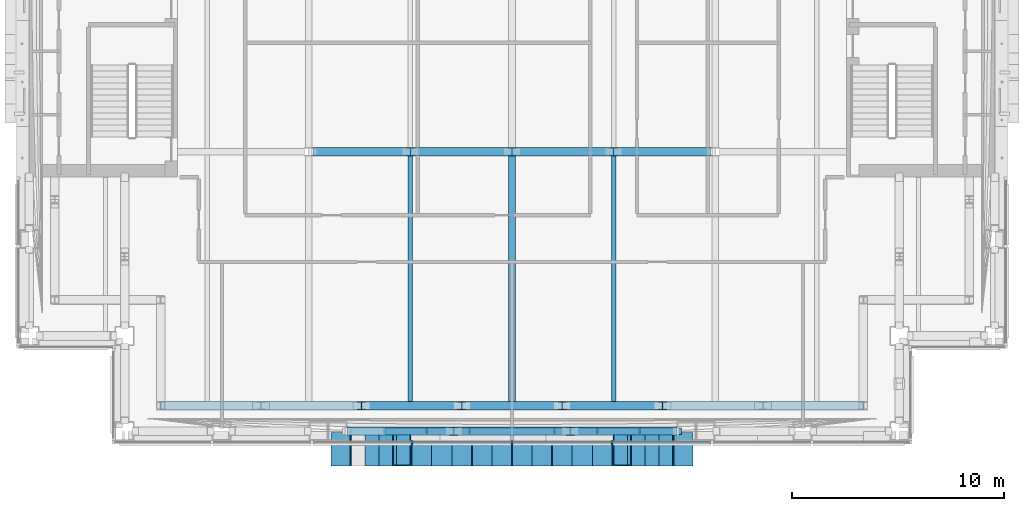
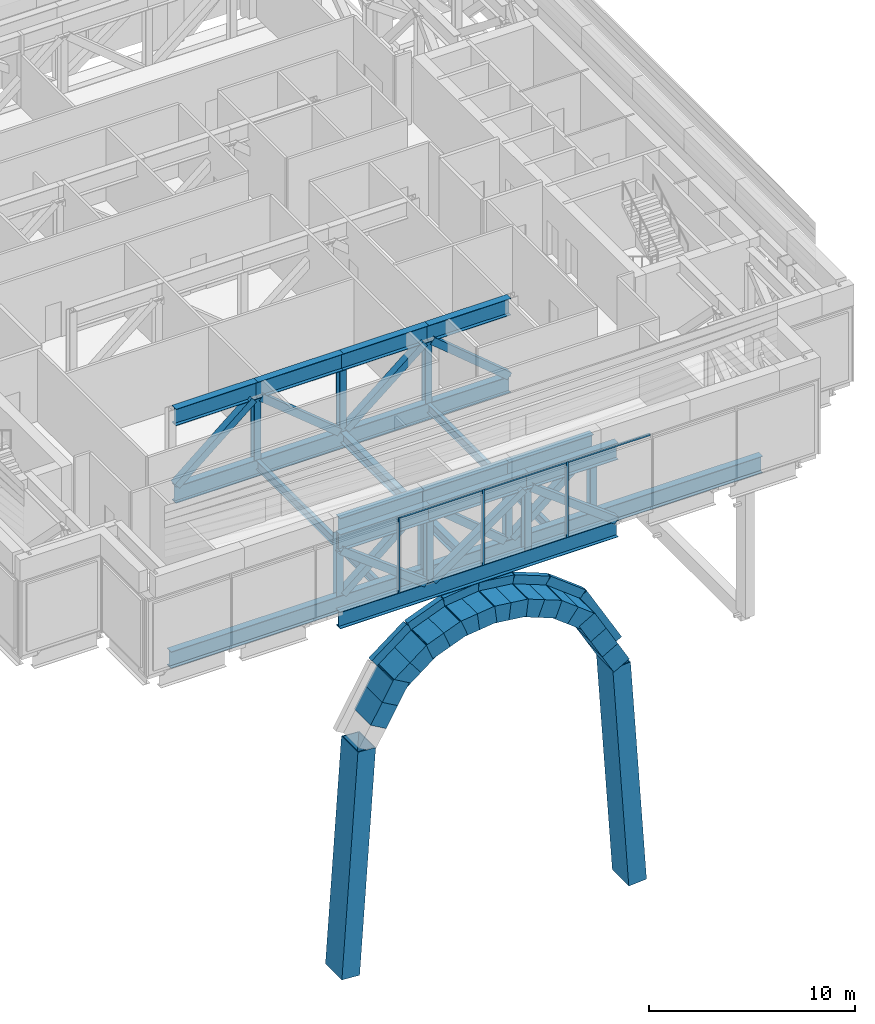
# One storey, part 3 of 38: 57 members, 10 beams, 1 element without a shape of its own.
"""IFC4 building model written with IfcOpenShell, lengths in metres."""

from ifc_helpers import new_model, si_unit, direction, frame, origin, origin_2d, place, context, subcontext, project, spatial, rectangle, hollow_rectangle, i_section, extrude, material, material_profile, profile_set, type_object, element, aggregate, save


model = new_model("IFC4")

# Units and contexts
model_context = context("Model", 3, precision=1e-05, world=origin(), true_north=direction((0.0, 1.0)))
body_context = subcontext(model_context, "Body", "Model", "MODEL_VIEW")
ifc_project = project(units=[si_unit("LENGTHUNIT", "METRE"), si_unit("AREAUNIT", "SQUARE_METRE"), si_unit("VOLUMEUNIT", "CUBIC_METRE"), si_unit("PLANEANGLEUNIT", "RADIAN"), si_unit("MASSUNIT", "GRAM", prefix="KILO")], contexts=[model_context])

# Site, building, storey
site_placement = place(None, origin())
site = spatial("IfcSite", under=ifc_project, at=site_placement, CompositionType="ELEMENT")
building_placement = place(site_placement, origin())
building = spatial("IfcBuilding", under=site, at=building_placement, Name="Cobrizo Arcos Hotel Tower", CompositionType="ELEMENT")
storey_placement = place(building_placement, frame((0.0, 0.0, 138.0)))
storey = spatial("IfcBuildingStorey", under=building, at=storey_placement, Name="L35", CompositionType="ELEMENT", Elevation=138.0)

# Beams
ifc_material_1 = material(Name="Steel ASTM A572 Grade 50", Category="steel")
ifc_material_profile_1 = material_profile(ifc_material_1, hollow_rectangle(XDim=0.300048828125, YDim=0.5, WallThickness=0.02001953125, at=origin_2d()), Name="BOX 300X500X20")
ifc_profile_set_1 = profile_set([ifc_material_profile_1], Name="Steel ASTM A572 Grade 50")
beam_type_1 = type_object("IfcBeamType", Name="BOX 300X500X20 arch rib", PredefinedType="BEAM", material=ifc_profile_set_1)
beam_1_placement = place(storey_placement, frame((-5.85009765625, -22.800048828125, -4.03369140625), z_axis=(0.793804651167, 0.0, 0.608172817369), x_axis=(0.0, 1.0, 0.0)))
element("IfcBeam", 1, at=beam_1_placement, inside=storey, type_object=beam_type_1, Name="Arch rib AR1, arch B, south face, no. 02", PredefinedType="BEAM", context=body_context, shape_type="SweptSolid", body=[
    extrude(hollow_rectangle(XDim=0.300048828125, YDim=0.5, WallThickness=0.02001953125, at=origin_2d()), origin(), (0.0, 0.0, 1.0), 2.456787109375),
])
beam_2_placement = place(storey_placement, frame((-3.89990234375, -22.800048828125, -2.53955078125), z_axis=(0.931493782789, 0.0, 0.363757244087), x_axis=(0.0, 1.0, 0.0)))
element("IfcBeam", 2, at=beam_2_placement, inside=storey, type_object=beam_type_1, Name="Arch rib AR1, arch B, south face, no. 03", PredefinedType="BEAM", context=body_context, shape_type="SweptSolid", body=[
    extrude(hollow_rectangle(XDim=0.300048828125, YDim=0.5, WallThickness=0.02001953125, at=origin_2d()), origin(), (0.0, 0.0, 1.0), 2.09326171875),
])
for number, where, z_axis, x_axis, name in (
    (3, (-1.949951171875, -22.800048828125, -1.778076171875), (0.992631300505, 0.0, 0.121173847251), (0.0, 1.0, 0.0), "Arch rib AR1, arch B, south face, no. 04"),
    (4, (0.0, -22.800048828125, -1.5400390625), (0.992631300505, 0.0, -0.121173847251), (0.0, 1.0, 0.0), "Arch rib AR1, arch B, south face, no. 05"),
):
    element("IfcBeam", number, at=place(storey_placement, frame(where, z_axis=z_axis, x_axis=x_axis)), inside=storey, type_object=beam_type_1, Name=name, PredefinedType="BEAM", context=body_context, shape_type="SweptSolid", body=[
        extrude(hollow_rectangle(XDim=0.300048828125, YDim=0.5, WallThickness=0.02001953125, at=origin_2d()), origin(), (0.0, 0.0, 1.0), 1.96435546875),
    ])
beam_3_placement = place(storey_placement, frame((1.949951171875, -22.800048828125, -1.778076171875), z_axis=(0.931493782789, 0.0, -0.363757244087), x_axis=(0.0, 1.0, 0.0)))
element("IfcBeam", 5, at=beam_3_placement, inside=storey, type_object=beam_type_1, Name="Arch rib AR1, arch B, south face, no. 06", PredefinedType="BEAM", context=body_context, shape_type="SweptSolid", body=[
    extrude(hollow_rectangle(XDim=0.300048828125, YDim=0.5, WallThickness=0.02001953125, at=origin_2d()), origin(), (0.0, 0.0, 1.0), 2.09326171875),
])
beam_4_placement = place(storey_placement, frame((3.89990234375, -22.800048828125, -2.53955078125), z_axis=(0.793804651167, 0.0, -0.608172817369), x_axis=(0.0, 1.0, 0.0)))
element("IfcBeam", 6, at=beam_4_placement, inside=storey, type_object=beam_type_1, Name="Arch rib AR1, arch B, south face, no. 07", PredefinedType="BEAM", context=body_context, shape_type="SweptSolid", body=[
    extrude(hollow_rectangle(XDim=0.300048828125, YDim=0.5, WallThickness=0.02001953125, at=origin_2d()), origin(), (0.0, 0.0, 1.0), 2.456787109375),
])
beam_5_placement = place(storey_placement, frame((5.85009765625, -22.800048828125, -4.03369140625), z_axis=(0.497621047013, 0.0, -0.867394543198), x_axis=(0.0, 1.0, 0.0)))
element("IfcBeam", 7, at=beam_5_placement, inside=storey, type_object=beam_type_1, Name="Arch rib AR1, arch B, south face, no. 08", PredefinedType="BEAM", context=body_context, shape_type="SweptSolid", body=[
    extrude(hollow_rectangle(XDim=0.300048828125, YDim=0.5, WallThickness=0.02001953125, at=origin_2d()), origin(), (0.0, 0.0, 1.0), 3.91845703125),
])

# Curtain wall, members
ifc_material_2 = material(Name="Aluminium 6063-T6 anodised bronze", Category="aluminium")
curtain_wall_type = type_object("IfcCurtainWallType", Name="CW-D plant louvre wall", PredefinedType="NOTDEFINED", material=ifc_material_2)
curtain_wall_placement = place(storey_placement, origin())
curtain_wall = element("IfcCurtainWall", 8, at=curtain_wall_placement, inside=storey, type_object=curtain_wall_type, Name="CW-D L35 S face", PredefinedType="NOTDEFINED")
ifc_material_profile_2 = material_profile(ifc_material_2, rectangle(XDim=0.14990234375, YDim=0.10009765625, at=origin_2d()), Name="CW-D mullion 150x100")
ifc_profile_set_2 = profile_set([ifc_material_profile_2], Name="Aluminium 6063-T6 anodised bronze")
member_type_1 = type_object("IfcMemberType", Name="CW-D mullion 150x100", PredefinedType="MULLION", material=ifc_profile_set_2)
member_1_placement = place(storey_placement, frame((-4.72509765625, -23.324951171875, 0.0), z_axis=(0.0, 0.0, 1.0), x_axis=(0.0, -1.0, 0.0)))
member_1 = element("IfcMember", 9, at=member_1_placement, type_object=member_type_1, Name="CW-D mullion 4", PredefinedType="MULLION", context=body_context, shape_type="SweptSolid", body=[
    extrude(rectangle(XDim=0.14990234375, YDim=0.10009765625, at=origin_2d()), origin(), (0.0, 0.0, 1.0), 4.5),
])
member_2_placement = place(storey_placement, frame((0.0, -23.324951171875, 0.0), z_axis=(0.0, 0.0, 1.0), x_axis=(0.0, -1.0, 0.0)))
member_2 = element("IfcMember", 10, at=member_2_placement, type_object=member_type_1, Name="CW-D mullion 5", PredefinedType="MULLION", context=body_context, shape_type="SweptSolid", body=[
    extrude(rectangle(XDim=0.14990234375, YDim=0.10009765625, at=origin_2d()), origin(), (0.0, 0.0, 1.0), 4.5),
])
member_3_placement = place(storey_placement, frame((4.72509765625, -23.324951171875, 0.0), z_axis=(0.0, 0.0, 1.0), x_axis=(0.0, -1.0, 0.0)))
member_3 = element("IfcMember", 11, at=member_3_placement, type_object=member_type_1, Name="CW-D mullion 6", PredefinedType="MULLION", context=body_context, shape_type="SweptSolid", body=[
    extrude(rectangle(XDim=0.14990234375, YDim=0.10009765625, at=origin_2d()), origin(), (0.0, 0.0, 1.0), 4.5),
])
ifc_material_profile_3 = material_profile(ifc_material_2, rectangle(XDim=0.10009765625, YDim=0.10009765625, at=origin_2d()), Name="CW-D transom 100x100")
ifc_profile_set_3 = profile_set([ifc_material_profile_3], Name="Aluminium 6063-T6 anodised bronze")
member_type_2 = type_object("IfcMemberType", Name="CW-D transom 100x100", PredefinedType="USERDEFINED", material=ifc_profile_set_3)
member_4_placement = place(storey_placement, frame((-4.675048828125, -23.324951171875, 4.449951171875), z_axis=(1.0, 0.0, 0.0), x_axis=(0.0, 1.0, 0.0)))
member_4 = element("IfcMember", 12, at=member_4_placement, type_object=member_type_2, Name="CW-D transom 1278", ObjectType="TRANSOM", PredefinedType="USERDEFINED", context=body_context, shape_type="SweptSolid", body=[
    extrude(rectangle(XDim=0.10009765625, YDim=0.10009765625, at=origin_2d()), origin(), (0.0, 0.0, 1.0), 4.625),
])
member_5_placement = place(storey_placement, frame((0.050048828125, -23.324951171875, 4.449951171875), z_axis=(1.0, 0.0, 0.0), x_axis=(0.0, 1.0, 0.0)))
member_5 = element("IfcMember", 13, at=member_5_placement, type_object=member_type_2, Name="CW-D transom 1279", ObjectType="TRANSOM", PredefinedType="USERDEFINED", context=body_context, shape_type="SweptSolid", body=[
    extrude(rectangle(XDim=0.10009765625, YDim=0.10009765625, at=origin_2d()), origin(), (0.0, 0.0, 1.0), 4.625),
])
member_6_placement = place(storey_placement, frame((4.77490234375, -23.324951171875, 4.449951171875), z_axis=(1.0, 0.0, 0.0), x_axis=(0.0, 1.0, 0.0)))
member_6 = element("IfcMember", 14, at=member_6_placement, type_object=member_type_2, Name="CW-D transom 1280", ObjectType="TRANSOM", PredefinedType="USERDEFINED", context=body_context, shape_type="SweptSolid", body=[
    extrude(rectangle(XDim=0.10009765625, YDim=0.10009765625, at=origin_2d()), origin(), (0.0, 0.0, 1.0), 4.625),
])
aggregate(curtain_wall, [member_1, member_2, member_3, member_4, member_5, member_6])

# Members
ifc_material_3 = material(Name="Steel ASTM A500 Grade C", Category="steel")
ifc_material_profile_4 = material_profile(ifc_material_3, hollow_rectangle(XDim=0.406494140625, YDim=0.406494140625, WallThickness=0.014892578125, at=origin_2d()), Name="HSS16X16X5/8")
ifc_profile_set_4 = profile_set([ifc_material_profile_4], Name="Steel ASTM A500 Grade C")
member_type_3 = type_object("IfcMemberType", Name="HSS16X16X5/8 truss diagonal", PredefinedType="BRACE", material=ifc_profile_set_4)
member_7_placement = place(storey_placement, frame((-7.719970703125, -22.800048828125, 3.309326171875), z_axis=(0.797436109358, 0.0, -0.603403390355), x_axis=(0.0, 1.0, 0.0)))
element("IfcMember", 15, at=member_7_placement, inside=storey, type_object=member_type_3, Name="Belt truss diagonal TD1, L35, no. 003", PredefinedType="BRACE", context=body_context, shape_type="SweptSolid", body=[
    extrude(hollow_rectangle(XDim=0.406494140625, YDim=0.406494140625, WallThickness=0.014892578125, at=origin_2d()), origin(), (0.0, 0.0, 1.0), 5.981689453125),
])
member_8_placement = place(storey_placement, frame((-2.550048828125, -22.800048828125, -0.300048828125), z_axis=(0.816265542448, 0.0, 0.577676868337), x_axis=(0.0, 1.0, 0.0)))
element("IfcMember", 16, at=member_8_placement, inside=storey, type_object=member_type_3, Name="Belt truss diagonal TD1, L35, no. 004", PredefinedType="BRACE", context=body_context, shape_type="SweptSolid", body=[
    extrude(hollow_rectangle(XDim=0.406494140625, YDim=0.406494140625, WallThickness=0.014892578125, at=origin_2d()), origin(), (0.0, 0.0, 1.0), 6.248046875),
])
member_9_placement = place(storey_placement, frame((2.949951171875, -22.800048828125, 3.309326171875), z_axis=(0.797436109358, 0.0, -0.603403390355), x_axis=(0.0, 1.0, 0.0)))
element("IfcMember", 17, at=member_9_placement, inside=storey, type_object=member_type_3, Name="Belt truss diagonal TD1, L35, no. 005", PredefinedType="BRACE", context=body_context, shape_type="SweptSolid", body=[
    extrude(hollow_rectangle(XDim=0.406494140625, YDim=0.406494140625, WallThickness=0.014892578125, at=origin_2d()), origin(), (0.0, 0.0, 1.0), 5.981689453125),
])
member_10_placement = place(storey_placement, frame((-6.9140625, -21.60009765625, -0.300048828125), z_axis=(0.769074628043, 0.0, 0.639158991567), x_axis=(0.0, 1.0, 0.0)))
element("IfcMember", 18, at=member_10_placement, inside=storey, type_object=member_type_3, Name="Belt truss diagonal TD1, L35, no. 033", PredefinedType="BRACE", context=body_context, shape_type="SweptSolid", body=[
    extrude(hollow_rectangle(XDim=0.406494140625, YDim=0.406494140625, WallThickness=0.014892578125, at=origin_2d()), origin(), (0.0, 0.0, 1.0), 5.64697265625),
])
member_11_placement = place(storey_placement, frame((-2.1708984375, -21.60009765625, 3.309326171875), z_axis=(0.768986297059, 0.0, -0.639265261793), x_axis=(0.0, 1.0, 0.0)))
element("IfcMember", 19, at=member_11_placement, inside=storey, type_object=member_type_3, Name="Belt truss diagonal TD1, L35, no. 034", PredefinedType="BRACE", context=body_context, shape_type="SweptSolid", body=[
    extrude(hollow_rectangle(XDim=0.406494140625, YDim=0.406494140625, WallThickness=0.014892578125, at=origin_2d()), origin(), (0.0, 0.0, 1.0), 5.646240234375),
])
member_12_placement = place(storey_placement, frame((2.571044921875, -21.60009765625, -0.300048828125), z_axis=(0.769074628043, 0.0, 0.639158991567), x_axis=(0.0, 1.0, 0.0)))
element("IfcMember", 20, at=member_12_placement, inside=storey, type_object=member_type_3, Name="Belt truss diagonal TD1, L35, no. 035", PredefinedType="BRACE", context=body_context, shape_type="SweptSolid", body=[
    extrude(hollow_rectangle(XDim=0.406494140625, YDim=0.406494140625, WallThickness=0.014892578125, at=origin_2d()), origin(), (0.0, 0.0, 1.0), 5.64697265625),
])
member_13_placement = place(storey_placement, frame((-9.320556640625, -9.60009765625, -0.300048828125), z_axis=(0.767442262329, 0.0, 0.641118065563), x_axis=(0.0, 1.0, 0.0)))
element("IfcMember", 21, at=member_13_placement, inside=storey, type_object=member_type_3, Name="Outrigger diagonal TD1, L35, no. 013", PredefinedType="BRACE", context=body_context, shape_type="SweptSolid", body=[
    extrude(hollow_rectangle(XDim=0.406494140625, YDim=0.406494140625, WallThickness=0.014892578125, at=origin_2d()), origin(), (0.0, 0.0, 1.0), 5.6298828125),
])
for number, where, z_axis, x_axis, name in (
    (22, (-4.60009765625, -9.60009765625, 3.309326171875), (0.773159666007, 0.0, -0.634211424416), (0.0, 1.0, 0.0), "Outrigger diagonal TD1, L35, no. 014"),
    (23, (0.199951171875, -9.60009765625, -0.300048828125), (0.773159666007, 0.0, 0.634211424416), (0.0, 1.0, 0.0), "Outrigger diagonal TD1, L35, no. 015"),
):
    element("IfcMember", number, at=place(storey_placement, frame(where, z_axis=z_axis, x_axis=x_axis)), inside=storey, type_object=member_type_3, Name=name, PredefinedType="BRACE", context=body_context, shape_type="SweptSolid", body=[
        extrude(hollow_rectangle(XDim=0.406494140625, YDim=0.406494140625, WallThickness=0.014892578125, at=origin_2d()), origin(), (0.0, 0.0, 1.0), 5.691162109375),
    ])
member_14_placement = place(storey_placement, frame((5.0, -9.60009765625, 3.309326171875), z_axis=(0.767442262329, 0.0, -0.641118065563), x_axis=(0.0, 1.0, 0.0)))
element("IfcMember", 24, at=member_14_placement, inside=storey, type_object=member_type_3, Name="Outrigger diagonal TD1, L35, no. 016", PredefinedType="BRACE", context=body_context, shape_type="SweptSolid", body=[
    extrude(hollow_rectangle(XDim=0.406494140625, YDim=0.406494140625, WallThickness=0.014892578125, at=origin_2d()), origin(), (0.0, 0.0, 1.0), 5.6298828125),
])
ifc_material_4 = material(Name="Steel ASTM A572 Grade 50 verdigris painted", Category="steel")
ifc_material_profile_5 = material_profile(ifc_material_4, hollow_rectangle(XDim=1.60009765625, YDim=1.0, WallThickness=0.050048828125, at=origin_2d()), Name="PF-2 arch ring frame box 1600x1000x50")
ifc_profile_set_5 = profile_set([ifc_material_profile_5], Name="Steel ASTM A572 Grade 50 verdigris painted")
member_type_4 = type_object("IfcMemberType", Name="PF-2 arch ring frame box 1600x1000x50", PredefinedType="USERDEFINED", material=ifc_profile_set_5)
for number, where, z_axis, x_axis, name in (
    (25, (-6.49951171875, -23.64990234375, -6.6728515625), (0.497547278685, 0.0, 0.867436859646), (0.0, 1.0, 0.0), "B ring frame lintel S2"),
    (26, (-5.849609375, -23.64990234375, -5.539794921875), (0.497768583067, 0.0, 0.86730988563), (0.0, 1.0, 0.0), "B ring frame lintel S3"),
):
    element("IfcMember", number, at=place(storey_placement, frame(where, z_axis=z_axis, x_axis=x_axis)), inside=storey, type_object=member_type_4, Name=name, ObjectType="PORTAL FRAME", PredefinedType="USERDEFINED", context=body_context, shape_type="SweptSolid", body=[
        extrude(hollow_rectangle(XDim=1.60009765625, YDim=1.0, WallThickness=0.050048828125, at=origin_2d()), origin(), (0.0, 0.0, 1.0), 1.30615234375),
    ])
for number, where, z_axis, x_axis, name in (
    (27, (-5.393798828125, -23.64990234375, -4.62890625), (0.793804651167, 0.0, 0.608172817369), (0.0, 1.0, 0.0), "B ring frame lintel S4"),
    (28, (-4.418701171875, -23.64990234375, -3.8818359375), (0.793731121538, 0.0, 0.608268778339), (0.0, 1.0, 0.0), "B ring frame lintel S5"),
):
    element("IfcMember", number, at=place(storey_placement, frame(where, z_axis=z_axis, x_axis=x_axis)), inside=storey, type_object=member_type_4, Name=name, ObjectType="PORTAL FRAME", PredefinedType="USERDEFINED", context=body_context, shape_type="SweptSolid", body=[
        extrude(hollow_rectangle(XDim=1.60009765625, YDim=1.0, WallThickness=0.050048828125, at=origin_2d()), origin(), (0.0, 0.0, 1.0), 1.228271484375),
    ])
for number, where, z_axis, x_axis, name in (
    (29, (-3.627197265625, -23.64990234375, -3.238037109375), (0.931548717787, 0.0, 0.363616537564), (0.0, 1.0, 0.0), "B ring frame lintel S6"),
    (30, (-2.652099609375, -23.64990234375, -2.857421875), (0.931438819259, 0.0, 0.363897960943), (0.0, 1.0, 0.0), "B ring frame lintel S7"),
):
    element("IfcMember", number, at=place(storey_placement, frame(where, z_axis=z_axis, x_axis=x_axis)), inside=storey, type_object=member_type_4, Name=name, ObjectType="PORTAL FRAME", PredefinedType="USERDEFINED", context=body_context, shape_type="SweptSolid", body=[
        extrude(hollow_rectangle(XDim=1.60009765625, YDim=1.0, WallThickness=0.050048828125, at=origin_2d()), origin(), (0.0, 0.0, 1.0), 1.046630859375),
    ])
member_15_placement = place(storey_placement, frame((-1.859130859375, -23.64990234375, -2.5224609375), z_axis=(0.99264806263, 0.0, 0.12103645631), x_axis=(0.0, 1.0, 0.0)))
element("IfcMember", 31, at=member_15_placement, inside=storey, type_object=member_type_4, Name="B ring frame lintel S8", ObjectType="PORTAL FRAME", PredefinedType="USERDEFINED", context=body_context, shape_type="SweptSolid", body=[
    extrude(hollow_rectangle(XDim=1.60009765625, YDim=1.0, WallThickness=0.050048828125, at=origin_2d()), origin(), (0.0, 0.0, 1.0), 0.982421875),
])
for number, where, z_axis, x_axis, name in (
    (32, (-0.884033203125, -23.64990234375, -2.403564453125), (0.992614515726, 0.0, 0.121311265633), (0.0, 1.0, 0.0), "B ring frame lintel S9"),
    (33, (-0.0908203125, -23.64990234375, -2.284423828125), (0.992614515726, 0.0, -0.121311265633), (0.0, 1.0, 0.0), "B ring frame lintel S10"),
):
    element("IfcMember", number, at=place(storey_placement, frame(where, z_axis=z_axis, x_axis=x_axis)), inside=storey, type_object=member_type_4, Name=name, ObjectType="PORTAL FRAME", PredefinedType="USERDEFINED", context=body_context, shape_type="SweptSolid", body=[
        extrude(hollow_rectangle(XDim=1.60009765625, YDim=1.0, WallThickness=0.050048828125, at=origin_2d()), origin(), (0.0, 0.0, 1.0), 0.982177734375),
    ])
member_16_placement = place(storey_placement, frame((0.884033203125, -23.64990234375, -2.403564453125), z_axis=(0.99264806263, 0.0, -0.12103645631), x_axis=(0.0, 1.0, 0.0)))
element("IfcMember", 34, at=member_16_placement, inside=storey, type_object=member_type_4, Name="B ring frame lintel S11", ObjectType="PORTAL FRAME", PredefinedType="USERDEFINED", context=body_context, shape_type="SweptSolid", body=[
    extrude(hollow_rectangle(XDim=1.60009765625, YDim=1.0, WallThickness=0.050048828125, at=origin_2d()), origin(), (0.0, 0.0, 1.0), 0.982421875),
])
for number, where, z_axis, x_axis, name in (
    (35, (1.67724609375, -23.64990234375, -2.4765625), (0.931438819259, 0.0, -0.363897960943), (0.0, 1.0, 0.0), "B ring frame lintel S12"),
    (36, (2.652099609375, -23.64990234375, -2.857421875), (0.931548717787, 0.0, -0.363616537564), (0.0, 1.0, 0.0), "B ring frame lintel S13"),
):
    element("IfcMember", number, at=place(storey_placement, frame(where, z_axis=z_axis, x_axis=x_axis)), inside=storey, type_object=member_type_4, Name=name, ObjectType="PORTAL FRAME", PredefinedType="USERDEFINED", context=body_context, shape_type="SweptSolid", body=[
        extrude(hollow_rectangle(XDim=1.60009765625, YDim=1.0, WallThickness=0.050048828125, at=origin_2d()), origin(), (0.0, 0.0, 1.0), 1.046630859375),
    ])
for number, where, z_axis, x_axis, name in (
    (37, (3.44384765625, -23.64990234375, -3.134765625), (0.793731121538, 0.0, -0.608268778339), (0.0, 1.0, 0.0), "B ring frame lintel S14"),
    (38, (4.418701171875, -23.64990234375, -3.8818359375), (0.793804651167, 0.0, -0.608172817369), (0.0, 1.0, 0.0), "B ring frame lintel S15"),
):
    element("IfcMember", number, at=place(storey_placement, frame(where, z_axis=z_axis, x_axis=x_axis)), inside=storey, type_object=member_type_4, Name=name, ObjectType="PORTAL FRAME", PredefinedType="USERDEFINED", context=body_context, shape_type="SweptSolid", body=[
        extrude(hollow_rectangle(XDim=1.60009765625, YDim=1.0, WallThickness=0.050048828125, at=origin_2d()), origin(), (0.0, 0.0, 1.0), 1.228271484375),
    ])
for number, where, z_axis, x_axis, name in (
    (39, (5.199462890625, -23.64990234375, -4.406982421875), (0.497768583067, 0.0, -0.86730988563), (0.0, 1.0, 0.0), "B ring frame lintel S16"),
    (40, (5.849609375, -23.64990234375, -5.539794921875), (0.497547278685, 0.0, -0.867436859646), (0.0, 1.0, 0.0), "B ring frame lintel S17"),
    (41, (6.49951171875, -23.64990234375, -6.6728515625), (0.497547278685, 0.0, -0.867436859646), (0.0, 1.0, 0.0), "B ring frame lintel S18"),
):
    element("IfcMember", number, at=place(storey_placement, frame(where, z_axis=z_axis, x_axis=x_axis)), inside=storey, type_object=member_type_4, Name=name, ObjectType="PORTAL FRAME", PredefinedType="USERDEFINED", context=body_context, shape_type="SweptSolid", body=[
        extrude(hollow_rectangle(XDim=1.60009765625, YDim=1.0, WallThickness=0.050048828125, at=origin_2d()), origin(), (0.0, 0.0, 1.0), 1.30615234375),
    ])
for number, where, z_axis, x_axis, name in (
    (42, (-8.049560546875, -23.64990234375, -21.0), (0.068065232838, 0.0, 0.997680872864), (0.0, 1.0, 0.0), "B ring frame post SW"),
    (43, (8.049560546875, -23.64990234375, -21.0), (-0.068065232838, 0.0, 0.997680872864), (0.0, -1.0, 0.0), "B ring frame post SE"),
):
    element("IfcMember", number, at=place(storey_placement, frame(where, z_axis=z_axis, x_axis=x_axis)), inside=storey, type_object=member_type_4, Name=name, ObjectType="PORTAL FRAME", PredefinedType="USERDEFINED", context=body_context, shape_type="SweptSolid", body=[
        extrude(hollow_rectangle(XDim=1.60009765625, YDim=1.0, WallThickness=0.050048828125, at=origin_2d()), origin(), (0.0, 0.0, 1.0), 13.224853515625),
    ])
ifc_material_5 = material(Name="Steel ASTM A992 Grade 50", Category="steel")
ifc_material_profile_6 = material_profile(ifc_material_5, i_section(OverallWidth=0.373291015625, OverallDepth=0.373291015625, WebThickness=0.016357421875, FlangeThickness=0.026123046875, at=origin_2d()), Name="W14X132")
ifc_profile_set_6 = profile_set([ifc_material_profile_6], Name="Steel ASTM A992 Grade 50")
member_type_5 = type_object("IfcMemberType", Name="W14X132 truss post", PredefinedType="POST", material=ifc_profile_set_6)
for number, where, z_axis, x_axis, name in (
    (44, (-2.75, -22.800048828125, -0.300048828125), (0.0, 0.0, 1.0), (1.0, 0.0, 0.0), "Truss post TP1, L35, no. 001"),
    (45, (2.75, -22.800048828125, -0.300048828125), (0.0, 0.0, 1.0), (1.0, 0.0, 0.0), "Truss post TP1, L35, no. 002"),
    (46, (-7.114013671875, -21.60009765625, -0.300048828125), (0.0, 0.0, 1.0), (1.0, 0.0, 0.0), "Truss post TP1, L35, no. 007"),
    (47, (-2.37109375, -21.60009765625, -0.300048828125), (0.0, 0.0, 1.0), (1.0, 0.0, 0.0), "Truss post TP1, L35, no. 008"),
    (48, (2.37109375, -21.60009765625, -0.300048828125), (0.0, 0.0, 1.0), (1.0, 0.0, 0.0), "Truss post TP1, L35, no. 009"),
    (49, (7.114013671875, -21.60009765625, -0.300048828125), (0.0, 0.0, 1.0), (1.0, 0.0, 0.0), "Truss post TP1, L35, no. 010"),
    (50, (-4.800048828125, -9.60009765625, -0.300048828125), (0.0, 0.0, 1.0), (1.0, 0.0, 0.0), "Truss post TP1, L35, no. 037"),
    (51, (0.0, -9.60009765625, -0.300048828125), (0.0, 0.0, 1.0), (1.0, 0.0, 0.0), "Truss post TP1, L35, no. 038"),
    (52, (4.800048828125, -9.60009765625, -0.300048828125), (0.0, 0.0, 1.0), (1.0, 0.0, 0.0), "Truss post TP1, L35, no. 039"),
):
    element("IfcMember", number, at=place(storey_placement, frame(where, z_axis=z_axis, x_axis=x_axis)), inside=storey, type_object=member_type_5, Name=name, PredefinedType="POST", context=body_context, shape_type="SweptSolid", body=[
        extrude(i_section(OverallWidth=0.373291015625, OverallDepth=0.373291015625, WebThickness=0.016357421875, FlangeThickness=0.026123046875, at=origin_2d()), origin(), (0.0, 0.0, 1.0), 3.609375),
    ])

# Beams
ifc_material_profile_7 = material_profile(ifc_material_5, i_section(OverallWidth=0.209228515625, OverallDepth=0.533447265625, WebThickness=0.01025390625, FlangeThickness=0.015625, at=origin_2d()), Name="W21X62")
ifc_profile_set_7 = profile_set([ifc_material_profile_7], Name="Steel ASTM A992 Grade 50")
beam_type_2 = type_object("IfcBeamType", Name="W21X62 joist", PredefinedType="JOIST", material=ifc_profile_set_7)
for number, where, z_axis, x_axis, name in (
    (53, (-4.800048828125, -21.3994140625, -0.566650390625), (0.0, 1.0, 0.0), (-1.0, 0.0, 0.0), "Floor joist J1, L35, no. 009"),
    (54, (4.800048828125, -21.3994140625, -0.566650390625), (0.0, 1.0, 0.0), (-1.0, 0.0, 0.0), "Floor joist J1, L35, no. 013"),
):
    element("IfcBeam", number, at=place(storey_placement, frame(where, z_axis=z_axis, x_axis=x_axis)), inside=storey, type_object=beam_type_2, Name=name, PredefinedType="JOIST", context=body_context, shape_type="SweptSolid", body=[
        extrude(i_section(OverallWidth=0.209228515625, OverallDepth=0.533447265625, WebThickness=0.01025390625, FlangeThickness=0.015625, at=origin_2d()), origin(), (0.0, 0.0, 1.0), 11.598876953125),
    ])
ifc_material_profile_8 = material_profile(ifc_material_5, i_section(OverallWidth=0.32763671875, OverallDepth=0.622314453125, WebThickness=0.015380859375, FlangeThickness=0.0244140625, at=origin_2d()), Name="W24X131")
ifc_profile_set_8 = profile_set([ifc_material_profile_8], Name="Steel ASTM A992 Grade 50")
beam_type_3 = type_object("IfcBeamType", Name="W24X131 girder", PredefinedType="BEAM", material=ifc_profile_set_8)
beam_6_placement = place(storey_placement, frame((0.0, -21.3994140625, -0.611083984375), z_axis=(0.0, 1.0, 0.0), x_axis=(-1.0, 0.0, 0.0)))
element("IfcBeam", 55, at=beam_6_placement, inside=storey, type_object=beam_type_3, Name="Floor girder G1, L35, no. 011", PredefinedType="BEAM", context=body_context, shape_type="SweptSolid", body=[
    extrude(i_section(OverallWidth=0.32763671875, OverallDepth=0.622314453125, WebThickness=0.015380859375, FlangeThickness=0.0244140625, at=origin_2d()), origin(), (0.0, 0.0, 1.0), 11.598876953125),
])

# Members
ifc_material_profile_9 = material_profile(ifc_material_5, i_section(OverallWidth=0.4013671875, OverallDepth=0.990478515625, WebThickness=0.0166015625, FlangeThickness=0.025390625, at=origin_2d()), Name="W40X215")
ifc_profile_set_9 = profile_set([ifc_material_profile_9], Name="Steel ASTM A992 Grade 50")
member_type_6 = type_object("IfcMemberType", Name="W40X215 belt truss chord", PredefinedType="CHORD", material=ifc_profile_set_9)
member_17_placement = place(storey_placement, frame((-7.800048828125, -22.800048828125, -0.79541015625), z_axis=(1.0, 0.0, 0.0), x_axis=(0.0, 1.0, 0.0)))
element("IfcMember", 56, at=member_17_placement, inside=storey, type_object=member_type_6, Name="Belt truss bottom chord TC1, L35, no. 003", PredefinedType="CHORD", context=body_context, shape_type="SweptSolid", body=[
    extrude(i_section(OverallWidth=0.4013671875, OverallDepth=0.990478515625, WebThickness=0.0166015625, FlangeThickness=0.025390625, at=origin_2d()), origin(), (0.0, 0.0, 1.0), 15.60009765625),
])
member_18_placement = place(storey_placement, frame((-7.800048828125, -22.800048828125, 3.8046875), z_axis=(1.0, 0.0, 0.0), x_axis=(0.0, 1.0, 0.0)))
element("IfcMember", 57, at=member_18_placement, inside=storey, type_object=member_type_6, Name="Belt truss top chord TC1, L35, no. 003", PredefinedType="CHORD", context=body_context, shape_type="SweptSolid", body=[
    extrude(i_section(OverallWidth=0.4013671875, OverallDepth=0.990478515625, WebThickness=0.0166015625, FlangeThickness=0.025390625, at=origin_2d()), origin(), (0.0, 0.0, 1.0), 5.050048828125),
])
member_19_placement = place(storey_placement, frame((-2.75, -22.800048828125, 3.8046875), z_axis=(1.0, 0.0, 0.0), x_axis=(0.0, 1.0, 0.0)))
element("IfcMember", 58, at=member_19_placement, inside=storey, type_object=member_type_6, Name="Belt truss top chord TC1, L35, no. 004", PredefinedType="CHORD", context=body_context, shape_type="SweptSolid", body=[
    extrude(i_section(OverallWidth=0.4013671875, OverallDepth=0.990478515625, WebThickness=0.0166015625, FlangeThickness=0.025390625, at=origin_2d()), origin(), (0.0, 0.0, 1.0), 5.5),
])
member_20_placement = place(storey_placement, frame((2.75, -22.800048828125, 3.8046875), z_axis=(1.0, 0.0, 0.0), x_axis=(0.0, 1.0, 0.0)))
element("IfcMember", 59, at=member_20_placement, inside=storey, type_object=member_type_6, Name="Belt truss top chord TC1, L35, no. 005", PredefinedType="CHORD", context=body_context, shape_type="SweptSolid", body=[
    extrude(i_section(OverallWidth=0.4013671875, OverallDepth=0.990478515625, WebThickness=0.0166015625, FlangeThickness=0.025390625, at=origin_2d()), origin(), (0.0, 0.0, 1.0), 5.050048828125),
])
member_21_placement = place(storey_placement, frame((-16.60009765625, -21.60009765625, -0.79541015625), z_axis=(1.0, 0.0, 0.0), x_axis=(0.0, 1.0, 0.0)))
element("IfcMember", 60, at=member_21_placement, inside=storey, type_object=member_type_6, Name="Belt truss bottom chord TC1, L35, no. 027", PredefinedType="CHORD", context=body_context, shape_type="SweptSolid", body=[
    extrude(i_section(OverallWidth=0.4013671875, OverallDepth=0.990478515625, WebThickness=0.0166015625, FlangeThickness=0.025390625, at=origin_2d()), origin(), (0.0, 0.0, 1.0), 33.2001953125),
])
member_22_placement = place(storey_placement, frame((-7.114013671875, -21.60009765625, 3.8046875), z_axis=(1.0, 0.0, 0.0), x_axis=(0.0, 1.0, 0.0)))
element("IfcMember", 61, at=member_22_placement, inside=storey, type_object=member_type_6, Name="Belt truss top chord TC1, L35, no. 033", PredefinedType="CHORD", context=body_context, shape_type="SweptSolid", body=[
    extrude(i_section(OverallWidth=0.4013671875, OverallDepth=0.990478515625, WebThickness=0.0166015625, FlangeThickness=0.025390625, at=origin_2d()), origin(), (0.0, 0.0, 1.0), 4.742919921875),
])
member_23_placement = place(storey_placement, frame((-2.37109375, -21.60009765625, 3.8046875), z_axis=(1.0, 0.0, 0.0), x_axis=(0.0, 1.0, 0.0)))
element("IfcMember", 62, at=member_23_placement, inside=storey, type_object=member_type_6, Name="Belt truss top chord TC1, L35, no. 034", PredefinedType="CHORD", context=body_context, shape_type="SweptSolid", body=[
    extrude(i_section(OverallWidth=0.4013671875, OverallDepth=0.990478515625, WebThickness=0.0166015625, FlangeThickness=0.025390625, at=origin_2d()), origin(), (0.0, 0.0, 1.0), 4.7421875),
])
member_24_placement = place(storey_placement, frame((2.37109375, -21.60009765625, 3.8046875), z_axis=(1.0, 0.0, 0.0), x_axis=(0.0, 1.0, 0.0)))
element("IfcMember", 63, at=member_24_placement, inside=storey, type_object=member_type_6, Name="Belt truss top chord TC1, L35, no. 035", PredefinedType="CHORD", context=body_context, shape_type="SweptSolid", body=[
    extrude(i_section(OverallWidth=0.4013671875, OverallDepth=0.990478515625, WebThickness=0.0166015625, FlangeThickness=0.025390625, at=origin_2d()), origin(), (0.0, 0.0, 1.0), 4.742919921875),
])
member_25_placement = place(storey_placement, frame((-9.400634765625, -9.60009765625, -0.79541015625), z_axis=(1.0, 0.0, 0.0), x_axis=(0.0, 1.0, 0.0)))
element("IfcMember", 64, at=member_25_placement, inside=storey, type_object=member_type_6, Name="Outrigger bottom chord TC1, L35, no. 009", PredefinedType="CHORD", context=body_context, shape_type="SweptSolid", body=[
    extrude(i_section(OverallWidth=0.4013671875, OverallDepth=0.990478515625, WebThickness=0.0166015625, FlangeThickness=0.025390625, at=origin_2d()), origin(), (0.0, 0.0, 1.0), 18.80126953125),
])
member_26_placement = place(storey_placement, frame((-9.400634765625, -9.60009765625, 3.8046875), z_axis=(1.0, 0.0, 0.0), x_axis=(0.0, 1.0, 0.0)))
element("IfcMember", 65, at=member_26_placement, inside=storey, type_object=member_type_6, Name="Outrigger top chord TC1, L35, no. 013", PredefinedType="CHORD", context=body_context, shape_type="SweptSolid", body=[
    extrude(i_section(OverallWidth=0.4013671875, OverallDepth=0.990478515625, WebThickness=0.0166015625, FlangeThickness=0.025390625, at=origin_2d()), origin(), (0.0, 0.0, 1.0), 4.6005859375),
])
for number, where, z_axis, x_axis, name in (
    (66, (-4.800048828125, -9.60009765625, 3.8046875), (1.0, 0.0, 0.0), (0.0, 1.0, 0.0), "Outrigger top chord TC1, L35, no. 014"),
    (67, (0.0, -9.60009765625, 3.8046875), (1.0, 0.0, 0.0), (0.0, 1.0, 0.0), "Outrigger top chord TC1, L35, no. 015"),
):
    element("IfcMember", number, at=place(storey_placement, frame(where, z_axis=z_axis, x_axis=x_axis)), inside=storey, type_object=member_type_6, Name=name, PredefinedType="CHORD", context=body_context, shape_type="SweptSolid", body=[
        extrude(i_section(OverallWidth=0.4013671875, OverallDepth=0.990478515625, WebThickness=0.0166015625, FlangeThickness=0.025390625, at=origin_2d()), origin(), (0.0, 0.0, 1.0), 4.800048828125),
    ])
member_27_placement = place(storey_placement, frame((4.800048828125, -9.60009765625, 3.8046875), z_axis=(1.0, 0.0, 0.0), x_axis=(0.0, 1.0, 0.0)))
element("IfcMember", 68, at=member_27_placement, inside=storey, type_object=member_type_6, Name="Outrigger top chord TC1, L35, no. 016", PredefinedType="CHORD", context=body_context, shape_type="SweptSolid", body=[
    extrude(i_section(OverallWidth=0.4013671875, OverallDepth=0.990478515625, WebThickness=0.0166015625, FlangeThickness=0.025390625, at=origin_2d()), origin(), (0.0, 0.0, 1.0), 4.6005859375),
])

save(model, "model.ifc")
